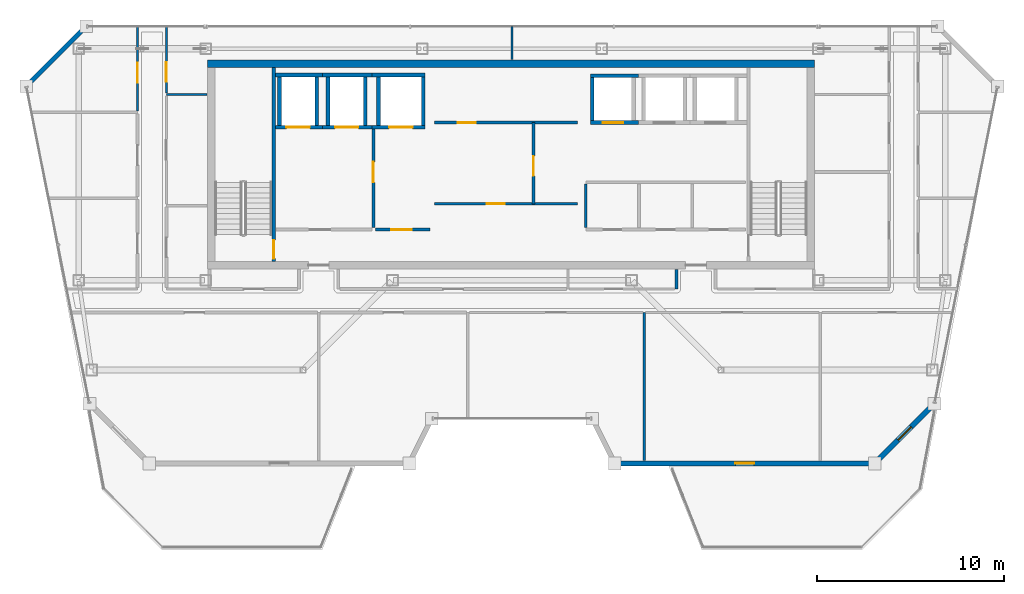
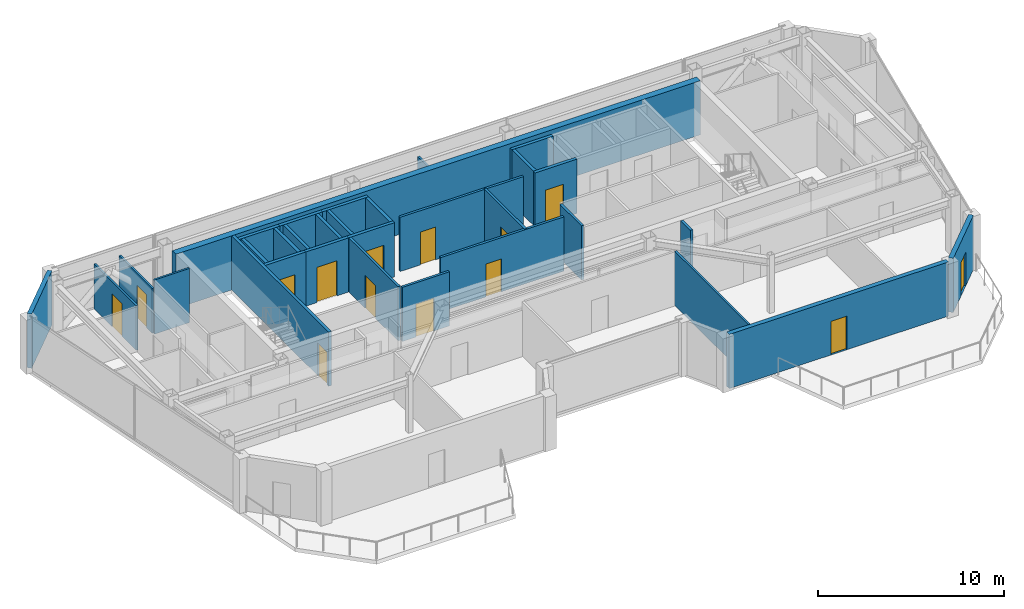
# One storey, part 15 of 20: 32 walls, 14 doors, 14 openings.
"""IFC4 building model written with IfcOpenShell, lengths in metres."""

from ifc_helpers import new_model, si_unit, direction, frame, frame_2d, origin, place, context, subcontext, project, spatial, rectangle, extrude, material, layer, layer_set, type_object, element, fill, save


model = new_model("IFC4")

# Units and contexts
model_context = context("Model", 3, precision=1e-05, world=origin(), true_north=direction((0.0, 1.0)))
body_context = subcontext(model_context, "Body", "Model", "MODEL_VIEW")
ifc_project = project(units=[si_unit("LENGTHUNIT", "METRE"), si_unit("AREAUNIT", "SQUARE_METRE"), si_unit("VOLUMEUNIT", "CUBIC_METRE"), si_unit("PLANEANGLEUNIT", "RADIAN"), si_unit("MASSUNIT", "GRAM", prefix="KILO")], contexts=[model_context])

# Site, building, storey
site_placement = place(None, origin())
site = spatial("IfcSite", under=ifc_project, at=site_placement, CompositionType="ELEMENT")
building_placement = place(site_placement, origin())
building = spatial("IfcBuilding", under=site, at=building_placement, Name="Saevonmaru Cultural Tower", CompositionType="ELEMENT")
storey_placement = place(building_placement, frame((0.0, 0.0, 295.199951171875)))
storey = spatial("IfcBuildingStorey", under=building, at=storey_placement, Name="L70", CompositionType="ELEMENT", Elevation=295.199951171875)

# Wall
ifc_material_1 = material(Name="Concrete C50/60", Category="concrete")
ifc_layer_1 = layer(ifc_material_1, 0.39990234375, Name="Concrete C50/60")
ifc_layer_set_1 = layer_set([ifc_layer_1], Name="Concrete C50/60")
wall_type_1 = type_object("IfcWallType", Name="WL-CORE-400", PredefinedType="SHEAR", material=ifc_layer_set_1)
wall_1_placement = place(storey_placement, frame((13.699951171875, 54.0, 0.0), z_axis=(0.0, 0.0, 1.0), x_axis=(1.0, 0.0, 0.0)))
element("IfcWall", 1, at=wall_1_placement, inside=storey, type_object=wall_type_1, Name="L70 Tower RC core shear wall N", PredefinedType="SHEAR", context=body_context, shape_type="SweptSolid", body=[
    extrude(rectangle(XDim=32.5, YDim=0.39990234375, at=frame_2d((16.25, 0.0))), origin(), (0.0, 0.0, 1.0), 3.550048828125),
])

# Wall, opening, door
ifc_material_2 = material(Name="Gypsum Fireboard Partition", Category="gypsum")
ifc_layer_2 = layer(ifc_material_2, 0.14990234375, Name="Gypsum Fireboard Partition")
ifc_layer_set_2 = layer_set([ifc_layer_2], Name="Gypsum Fireboard Partition")
wall_type_2 = type_object("IfcWallType", Name="WL-CORE-PART-150", PredefinedType="PARTITIONING", material=ifc_layer_set_2)
wall_2_placement = place(storey_placement, frame((22.580078125, 50.550048828125, 0.0), z_axis=(0.0, 0.0, 1.0), x_axis=(0.0, -1.0, 0.0)))
wall_2 = element("IfcWall", 2, at=wall_2_placement, inside=storey, type_object=wall_type_2, Name="L70 Firefighting Lift Lobby East Wall", PredefinedType="PARTITIONING", context=body_context, shape_type="SweptSolid", body=[
    extrude(rectangle(XDim=5.330078125, YDim=0.14990234375, at=frame_2d((2.6650390625, 0.0))), origin(), (0.0, 0.0, 1.0), 3.550048828125),
])
opening_1_placement = place(wall_2_placement, frame((1.800048828125, 0.0, 0.0)))
opening_1 = element("IfcOpeningElement", 3, at=opening_1_placement, cuts=wall_2, Name="Opening FD-2", PredefinedType="OPENING", context=body_context, shape_type="SweptSolid", body=[
    extrude(rectangle(XDim=1.10009765625, YDim=2.14990234375, at=frame_2d((0.550048828125, 1.074951171875))), frame((0.0, 0.0849609375, 0.0), z_axis=(0.0, -1.0, 0.0), x_axis=(1.0, 0.0, 0.0)), (0.0, 0.0, 1.0), 0.169921875),
])
ifc_material_3 = material(Name="Satin Bronze Anodised Aluminium", Category="aluminium")
door_type_1 = type_object("IfcDoorType", Name="DR-FD60-1100", OperationType="SINGLE_SWING_LEFT", PredefinedType="DOOR", material=ifc_material_3)
door_1_placement = place(opening_1_placement, origin())
door_1 = element("IfcDoor", 4, at=door_1_placement, inside=storey, type_object=door_type_1, Name="L70 Firefighting Lift Lobby East Door", OperationType="SINGLE_SWING_LEFT", OverallHeight=2.14990234375, OverallWidth=1.10009765625, PredefinedType="DOOR", context=body_context, shape_type="SweptSolid", body=[
    extrude(rectangle(XDim=1.10009765625, YDim=2.14990234375, at=frame_2d((0.550048828125, 1.074951171875))), frame((0.0, 0.02490234375, 0.0), z_axis=(0.0, -1.0, 0.0), x_axis=(1.0, 0.0, 0.0)), (0.0, 0.0, 1.0), 0.050048828125),
])
fill(opening_1, door_1)

wall_3_placement = place(storey_placement, frame((22.679931640625, 45.1201171875, 0.0), z_axis=(0.0, 0.0, 1.0), x_axis=(1.0, 0.0, 0.0)))
wall_3 = element("IfcWall", 5, at=wall_3_placement, inside=storey, type_object=wall_type_2, Name="L70 Service Lift Vestibule Wall", PredefinedType="PARTITIONING", context=body_context, shape_type="SweptSolid", body=[
    extrude(rectangle(XDim=2.920166015625, YDim=0.14990234375, at=frame_2d((1.4599609375, 0.0))), origin(), (0.0, 0.0, 1.0), 3.550048828125),
])
opening_2_placement = place(wall_3_placement, frame((0.85009765625, 0.0, 0.0)))
opening_2 = element("IfcOpeningElement", 6, at=opening_2_placement, cuts=wall_3, Name="Opening FD-2", PredefinedType="OPENING", context=body_context, shape_type="SweptSolid", body=[
    extrude(rectangle(XDim=1.10009765625, YDim=2.14990234375, at=frame_2d((0.550048828125, 1.074951171875))), frame((0.0, 0.0849609375, 0.0), z_axis=(0.0, -1.0, 0.0), x_axis=(1.0, 0.0, 0.0)), (0.0, 0.0, 1.0), 0.169921875),
])
door_2_placement = place(opening_2_placement, origin())
door_2 = element("IfcDoor", 7, at=door_2_placement, inside=storey, type_object=door_type_1, Name="L70 Service Lift Vestibule Door", OperationType="SINGLE_SWING_LEFT", OverallHeight=2.14990234375, OverallWidth=1.10009765625, PredefinedType="DOOR", context=body_context, shape_type="SweptSolid", body=[
    extrude(rectangle(XDim=1.10009765625, YDim=2.14990234375, at=frame_2d((0.550048828125, 1.074951171875))), frame((0.0, 0.02490234375, 0.0), z_axis=(0.0, -1.0, 0.0), x_axis=(1.0, 0.0, 0.0)), (0.0, 0.0, 1.0), 0.050048828125),
])
fill(opening_2, door_2)

wall_4_placement = place(storey_placement, frame((31.14990234375, 46.5, 0.0), z_axis=(0.0, 0.0, 1.0), x_axis=(0.0, 1.0, 0.0)))
wall_4 = element("IfcWall", 8, at=wall_4_placement, inside=storey, type_object=wall_type_2, Name="L70 Lift Zone Baffle 1", PredefinedType="PARTITIONING", context=body_context, shape_type="SweptSolid", body=[
    extrude(rectangle(XDim=4.35009765625, YDim=0.14990234375, at=frame_2d((2.175048828125, 0.0))), origin(), (0.0, 0.0, 1.0), 3.550048828125),
])
opening_3_placement = place(wall_4_placement, frame((1.5, 0.0, 0.0)))
opening_3 = element("IfcOpeningElement", 9, at=opening_3_placement, cuts=wall_4, Name="Opening ID-1", PredefinedType="OPENING", context=body_context, shape_type="SweptSolid", body=[
    extrude(rectangle(XDim=1.050048828125, YDim=2.14990234375, at=frame_2d((0.52490234375, 1.074951171875))), frame((0.0, 0.0849609375, 0.0), z_axis=(0.0, -1.0, 0.0), x_axis=(1.0, 0.0, 0.0)), (0.0, 0.0, 1.0), 0.169921875),
])
door_type_2 = type_object("IfcDoorType", Name="DR-INT-1050", OperationType="SINGLE_SWING_LEFT", PredefinedType="DOOR", material=ifc_material_3)
door_3_placement = place(opening_3_placement, origin())
door_3 = element("IfcDoor", 10, at=door_3_placement, inside=storey, type_object=door_type_2, Name="L70 West-Mid Lobby Portal", OperationType="SINGLE_SWING_LEFT", OverallHeight=2.14990234375, OverallWidth=1.050048828125, PredefinedType="DOOR", context=body_context, shape_type="SweptSolid", body=[
    extrude(rectangle(XDim=1.050048828125, YDim=2.14990234375, at=frame_2d((0.52490234375, 1.074951171875))), frame((0.0, 0.02490234375, 0.0), z_axis=(0.0, -1.0, 0.0), x_axis=(1.0, 0.0, 0.0)), (0.0, 0.0, 1.0), 0.050048828125),
])
fill(opening_3, door_3)

# Wall
wall_5_placement = place(storey_placement, frame((33.949951171875, 45.219970703125, 0.0), z_axis=(0.0, 0.0, 1.0), x_axis=(0.0, 1.0, 0.0)))
element("IfcWall", 11, at=wall_5_placement, inside=storey, type_object=wall_type_2, Name="L70 Core Utility West Wall", PredefinedType="PARTITIONING", context=body_context, shape_type="SweptSolid", body=[
    extrude(rectangle(XDim=2.330078125, YDim=0.14990234375, at=frame_2d((1.1650390625, 0.0))), origin(), (0.0, 0.0, 1.0), 3.550048828125),
])

# Wall, opening, door
wall_6_placement = place(storey_placement, frame((25.85009765625, 50.85009765625, 0.0), z_axis=(0.0, 0.0, 1.0), x_axis=(1.0, 0.0, 0.0)))
wall_6 = element("IfcWall", 12, at=wall_6_placement, inside=storey, type_object=wall_type_2, Name="L70 Reclaimed Core Room South Wall", PredefinedType="PARTITIONING", context=body_context, shape_type="SweptSolid", body=[
    extrude(rectangle(XDim=7.64990234375, YDim=0.14990234375, at=frame_2d((3.824951171875, 0.0))), origin(), (0.0, 0.0, 1.0), 3.550048828125),
])
opening_4_placement = place(wall_6_placement, frame((1.25, 0.0, 0.0)))
opening_4 = element("IfcOpeningElement", 13, at=opening_4_placement, cuts=wall_6, Name="Opening FD-4", PredefinedType="OPENING", context=body_context, shape_type="SweptSolid", body=[
    extrude(rectangle(XDim=0.949951171875, YDim=2.14990234375, at=frame_2d((0.47509765625, 1.074951171875))), frame((0.0, 0.0849609375, 0.0), z_axis=(0.0, -1.0, 0.0), x_axis=(1.0, 0.0, 0.0)), (0.0, 0.0, 1.0), 0.169921875),
])
door_type_3 = type_object("IfcDoorType", Name="DR-FD60-950", OperationType="SINGLE_SWING_LEFT", PredefinedType="DOOR", material=ifc_material_3)
door_4_placement = place(opening_4_placement, origin())
door_4 = element("IfcDoor", 14, at=door_4_placement, inside=storey, type_object=door_type_3, Name="L70 Reclaimed Archive Vault Door", OperationType="SINGLE_SWING_LEFT", OverallHeight=2.14990234375, OverallWidth=0.949951171875, PredefinedType="DOOR", context=body_context, shape_type="SweptSolid", body=[
    extrude(rectangle(XDim=0.949951171875, YDim=2.14990234375, at=frame_2d((0.47509765625, 1.074951171875))), frame((0.0, 0.02490234375, 0.0), z_axis=(0.0, -1.0, 0.0), x_axis=(1.0, 0.0, 0.0)), (0.0, 0.0, 1.0), 0.050048828125),
])
fill(opening_4, door_4)

wall_7_placement = place(storey_placement, frame((25.85009765625, 46.5, 0.0), z_axis=(0.0, 0.0, 1.0), x_axis=(1.0, 0.0, 0.0)))
wall_7 = element("IfcWall", 15, at=wall_7_placement, inside=storey, type_object=wall_type_2, Name="L70 Reclaimed Mid-Shaft Wall", PredefinedType="PARTITIONING", context=body_context, shape_type="SweptSolid", body=[
    extrude(rectangle(XDim=7.64990234375, YDim=0.14990234375, at=frame_2d((3.824951171875, 0.0))), origin(), (0.0, 0.0, 1.0), 3.550048828125),
])
opening_5_placement = place(wall_7_placement, frame((2.800048828125, 0.0, 0.0)))
opening_5 = element("IfcOpeningElement", 16, at=opening_5_placement, cuts=wall_7, Name="Opening FD-4", PredefinedType="OPENING", context=body_context, shape_type="SweptSolid", body=[
    extrude(rectangle(XDim=0.949951171875, YDim=2.14990234375, at=frame_2d((0.47509765625, 1.074951171875))), frame((0.0, 0.0849609375, 0.0), z_axis=(0.0, -1.0, 0.0), x_axis=(1.0, 0.0, 0.0)), (0.0, 0.0, 1.0), 0.169921875),
])
door_5_placement = place(opening_5_placement, origin())
door_5 = element("IfcDoor", 17, at=door_5_placement, inside=storey, type_object=door_type_3, Name="L70 Reclaimed Manuscript Storage Door", OperationType="SINGLE_SWING_LEFT", OverallHeight=2.14990234375, OverallWidth=0.949951171875, PredefinedType="DOOR", context=body_context, shape_type="SweptSolid", body=[
    extrude(rectangle(XDim=0.949951171875, YDim=2.14990234375, at=frame_2d((0.47509765625, 1.074951171875))), frame((0.0, 0.02490234375, 0.0), z_axis=(0.0, -1.0, 0.0), x_axis=(1.0, 0.0, 0.0)), (0.0, 0.0, 1.0), 0.050048828125),
])
fill(opening_5, door_5)

# Wall
ifc_material_4 = material(Name="Granite-Clad Precast Concrete C40/50", Category="masonry")
ifc_layer_3 = layer(ifc_material_4, 0.260009765625, Name="Granite-Clad Precast Concrete C40/50")
ifc_layer_set_3 = layer_set([ifc_layer_3], Name="Granite-Clad Precast Concrete C40/50")
wall_type_3 = type_object("IfcWallType", Name="WL-EXT-SPANDREL-260", PredefinedType="STANDARD", material=ifc_layer_set_3)
wall_8_placement = place(storey_placement, frame((7.0869140625, 55.886962890625, 0.0), z_axis=(0.0, 0.0, 1.0), x_axis=(-0.707106781187, -0.707106781187, 0.0)))
element("IfcWall", 18, at=wall_8_placement, inside=storey, type_object=wall_type_3, Name="L70 Chamfer Corner Spandrel Wall E11", PredefinedType="STANDARD", context=body_context, shape_type="SweptSolid", body=[
    extrude(rectangle(XDim=4.205810546875, YDim=0.260009765625, at=frame_2d((2.10302734375, 0.0))), origin(), (0.0, 0.0, 1.0), 3.550048828125),
])

# Wall, opening, door
ifc_layer_4 = layer(ifc_material_4, 0.280029296875, Name="Granite-Clad Precast Concrete C40/50")
ifc_layer_set_4 = layer_set([ifc_layer_4], Name="Granite-Clad Precast Concrete C40/50")
wall_type_4 = type_object("IfcWallType", Name="WL-EXT-SPANDREL-280", PredefinedType="STANDARD", material=ifc_layer_set_4)
wall_9_placement = place(storey_placement, frame((35.659912109375, 32.60009765625, 0.0), z_axis=(0.0, 0.0, 1.0), x_axis=(1.0, 0.0, 0.0)))
wall_9 = element("IfcWall", 19, at=wall_9_placement, inside=storey, type_object=wall_type_4, Name="L70 Setback Terrace Portal Wall E6", PredefinedType="STANDARD", context=body_context, shape_type="SweptSolid", body=[
    extrude(rectangle(XDim=13.60009765625, YDim=0.280029296875, at=frame_2d((6.800048828125, 0.0))), origin(), (0.0, 0.0, 1.0), 3.550048828125),
])
opening_6_placement = place(wall_9_placement, frame((6.300048828125, 0.0, 0.0)))
opening_6 = element("IfcOpeningElement", 20, at=opening_6_placement, cuts=wall_9, Name="Opening TD-2", PredefinedType="OPENING", context=body_context, shape_type="SweptSolid", body=[
    extrude(rectangle(XDim=1.0, YDim=2.199951171875, at=frame_2d((0.5, 1.10009765625))), frame((0.0, 0.14990234375, 0.0), z_axis=(0.0, -1.0, 0.0), x_axis=(1.0, 0.0, 0.0)), (0.0, 0.0, 1.0), 0.300048828125),
])
door_type_4 = type_object("IfcDoorType", Name="DR-TERR-1000", OperationType="SINGLE_SWING_RIGHT", PredefinedType="DOOR", material=ifc_material_3)
door_6_placement = place(opening_6_placement, origin())
door_6 = element("IfcDoor", 21, at=door_6_placement, inside=storey, type_object=door_type_4, Name="L70 Sawtooth Roof Terrace Door E6", OperationType="SINGLE_SWING_RIGHT", OverallHeight=2.199951171875, OverallWidth=1.0, PredefinedType="DOOR", context=body_context, shape_type="SweptSolid", body=[
    extrude(rectangle(XDim=1.0, YDim=2.199951171875, at=frame_2d((0.5, 1.10009765625))), frame((0.0, 0.02490234375, 0.0), z_axis=(0.0, -1.0, 0.0), x_axis=(1.0, 0.0, 0.0)), (0.0, 0.0, 1.0), 0.050048828125),
])
fill(opening_6, door_6)

wall_10_placement = place(storey_placement, frame((49.533203125, 32.713134765625, 0.0), z_axis=(0.0, 0.0, 1.0), x_axis=(0.70707775441, 0.707135806771, 0.0)))
wall_10 = element("IfcWall", 22, at=wall_10_placement, inside=storey, type_object=wall_type_4, Name="L70 Setback Terrace Portal Wall E7", PredefinedType="STANDARD", context=body_context, shape_type="SweptSolid", body=[
    extrude(rectangle(XDim=4.20556640625, YDim=0.280029296875, at=frame_2d((2.102783203125, 0.0))), origin(), (0.0, 0.0, 1.0), 3.550048828125),
])
opening_7_placement = place(wall_10_placement, frame((1.60302734375, 0.0, 0.0)))
opening_7 = element("IfcOpeningElement", 23, at=opening_7_placement, cuts=wall_10, Name="Opening TD-2", PredefinedType="OPENING", context=body_context, shape_type="SweptSolid", body=[
    extrude(rectangle(XDim=1.0, YDim=2.199951171875, at=frame_2d((0.5, 1.10009765625))), frame((0.0, 0.14990234375, 0.0), z_axis=(0.0, -1.0, 0.0), x_axis=(1.0, 0.0, 0.0)), (0.0, 0.0, 1.0), 0.300048828125),
])
door_7_placement = place(opening_7_placement, origin())
door_7 = element("IfcDoor", 24, at=door_7_placement, inside=storey, type_object=door_type_4, Name="L70 Sawtooth Roof Terrace Door E7", OperationType="SINGLE_SWING_LEFT", OverallHeight=2.199951171875, OverallWidth=1.0, PredefinedType="DOOR", context=body_context, shape_type="SweptSolid", body=[
    extrude(rectangle(XDim=1.0, YDim=2.199951171875, at=frame_2d((0.5, 1.10009765625))), frame((0.0, 0.02490234375, 0.0), z_axis=(0.0, -1.0, 0.0), x_axis=(1.0, 0.0, 0.0)), (0.0, 0.0, 1.0), 0.050048828125),
])
fill(opening_7, door_7)

# Walls
ifc_layer_5 = layer(ifc_material_2, 0.14990234375, Name="Gypsum Fireboard Partition")
ifc_layer_set_5 = layer_set([ifc_layer_5], Name="Gypsum Fireboard Partition")
wall_type_5 = type_object("IfcWallType", Name="WL-PART-FIRE-150", PredefinedType="PARTITIONING", material=ifc_layer_set_5)
wall_11_placement = place(storey_placement, frame((38.800048828125, 41.93994140625, 0.0), z_axis=(0.0, 0.0, 1.0), x_axis=(0.0, 1.0, 0.0)))
element("IfcWall", 25, at=wall_11_placement, inside=storey, type_object=wall_type_5, Name="L70 Core Portal Side Wall E1", PredefinedType="PARTITIONING", context=body_context, shape_type="SweptSolid", body=[
    extrude(rectangle(XDim=1.0400390625, YDim=0.14990234375, at=frame_2d((0.52001953125, 0.0))), origin(), (0.0, 0.0, 1.0), 3.550048828125),
])
ifc_layer_6 = layer(ifc_material_2, 0.1201171875, Name="Gypsum Fireboard Partition")
ifc_layer_set_6 = layer_set([ifc_layer_6], Name="Gypsum Fireboard Partition")
wall_type_6 = type_object("IfcWallType", Name="WL-PART-GYP-120", PredefinedType="PARTITIONING", material=ifc_layer_set_6)
wall_12_placement = place(storey_placement, frame((11.5, 52.35009765625, 0.0), z_axis=(0.0, 0.0, 1.0), x_axis=(1.0, 0.0, 0.0)))
element("IfcWall", 26, at=wall_12_placement, inside=storey, type_object=wall_type_6, Name="L70 North-West Panorama South Wall", PredefinedType="PARTITIONING", context=body_context, shape_type="SweptSolid", body=[
    extrude(rectangle(XDim=2.179931640625, YDim=0.1201171875, at=frame_2d((1.08984375, 0.0))), origin(), (0.0, 0.0, 1.0), 3.550048828125),
])
wall_13_placement = place(storey_placement, frame((30.0, 54.219970703125, 0.0), z_axis=(0.0, 0.0, 1.0), x_axis=(0.0, 1.0, 0.0)))
element("IfcWall", 27, at=wall_13_placement, inside=storey, type_object=wall_type_6, Name="L70 North Panorama Center Split", PredefinedType="PARTITIONING", context=body_context, shape_type="SweptSolid", body=[
    extrude(rectangle(XDim=1.775146484375, YDim=0.1201171875, at=frame_2d((0.8876953125, 0.0))), origin(), (0.0, 0.0, 1.0), 2.93505859375),
])

# Wall, opening, door
wall_14_placement = place(storey_placement, frame((11.5, 52.429931640625, 0.0), z_axis=(0.0, 0.0, 1.0), x_axis=(0.0, 1.0, 0.0)))
wall_14 = element("IfcWall", 28, at=wall_14_placement, inside=storey, type_object=wall_type_6, Name="L70 Rare Manuscript Reading Room Corridor Wall", PredefinedType="PARTITIONING", context=body_context, shape_type="SweptSolid", body=[
    extrude(rectangle(XDim=3.565185546875, YDim=0.1201171875, at=frame_2d((1.78271484375, 0.0))), origin(), (0.0, 0.0, 1.0), 2.93505859375),
])
opening_8_placement = place(wall_14_placement, frame((0.596923828125, 0.0, 0.0)))
opening_8 = element("IfcOpeningElement", 29, at=opening_8_placement, cuts=wall_14, Name="Opening ID-1", PredefinedType="OPENING", context=body_context, shape_type="SweptSolid", body=[
    extrude(rectangle(XDim=1.050048828125, YDim=2.14990234375, at=frame_2d((0.52490234375, 1.074951171875))), frame((0.0, 0.070068359375, 0.0), z_axis=(0.0, -1.0, 0.0), x_axis=(1.0, 0.0, 0.0)), (0.0, 0.0, 1.0), 0.14013671875),
])
door_8_placement = place(opening_8_placement, origin())
door_8 = element("IfcDoor", 30, at=door_8_placement, inside=storey, type_object=door_type_2, Name="L70 Rare Manuscript Reading Room Door", OperationType="SINGLE_SWING_LEFT", OverallHeight=2.14990234375, OverallWidth=1.050048828125, PredefinedType="DOOR", context=body_context, shape_type="SweptSolid", body=[
    extrude(rectangle(XDim=1.050048828125, YDim=2.14990234375, at=frame_2d((0.52490234375, 1.074951171875))), frame((0.0, 0.02490234375, 0.0), z_axis=(0.0, -1.0, 0.0), x_axis=(1.0, 0.0, 0.0)), (0.0, 0.0, 1.0), 0.050048828125),
])
fill(opening_8, door_8)

wall_15_placement = place(storey_placement, frame((9.949951171875, 51.47998046875, 0.0), z_axis=(0.0, 0.0, 1.0), x_axis=(0.0, 1.0, 0.0)))
wall_15 = element("IfcWall", 31, at=wall_15_placement, inside=storey, type_object=wall_type_6, Name="L70 Rare Manuscript Reading Room Corridor Wall", PredefinedType="PARTITIONING", context=body_context, shape_type="SweptSolid", body=[
    extrude(rectangle(XDim=4.51513671875, YDim=0.1201171875, at=frame_2d((2.257568359375, 0.0))), origin(), (0.0, 0.0, 1.0), 2.93505859375),
])
opening_9_placement = place(wall_15_placement, frame((1.512939453125, 0.0, 0.0)))
opening_9 = element("IfcOpeningElement", 32, at=opening_9_placement, cuts=wall_15, Name="Opening ID-1", PredefinedType="OPENING", context=body_context, shape_type="SweptSolid", body=[
    extrude(rectangle(XDim=1.050048828125, YDim=2.14990234375, at=frame_2d((0.52490234375, 1.074951171875))), frame((0.0, 0.070068359375, 0.0), z_axis=(0.0, -1.0, 0.0), x_axis=(1.0, 0.0, 0.0)), (0.0, 0.0, 1.0), 0.14013671875),
])
door_9_placement = place(opening_9_placement, origin())
door_9 = element("IfcDoor", 33, at=door_9_placement, inside=storey, type_object=door_type_2, Name="L70 Rare Manuscript Reading Room Door", OperationType="SINGLE_SWING_RIGHT", OverallHeight=2.14990234375, OverallWidth=1.050048828125, PredefinedType="DOOR", context=body_context, shape_type="SweptSolid", body=[
    extrude(rectangle(XDim=1.050048828125, YDim=2.14990234375, at=frame_2d((0.52490234375, 1.074951171875))), frame((0.0, 0.02490234375, 0.0), z_axis=(0.0, -1.0, 0.0), x_axis=(1.0, 0.0, 0.0)), (0.0, 0.0, 1.0), 0.050048828125),
])
fill(opening_9, door_9)

# Wall
wall_16_placement = place(storey_placement, frame((37.080078125, 32.760009765625, 0.0), z_axis=(0.0, 0.0, 1.0), x_axis=(0.0, 1.0, 0.0)))
element("IfcWall", 34, at=wall_16_placement, inside=storey, type_object=wall_type_6, Name="L70 Observatory Bay Divider 3", PredefinedType="PARTITIONING", context=body_context, shape_type="SweptSolid", body=[
    extrude(rectangle(XDim=7.919921875, YDim=0.1201171875, at=frame_2d((3.9599609375, 0.0))), origin(), (0.0, 0.0, 1.0), 3.550048828125),
])

# Wall, opening, door
ifc_material_5 = material(Name="Concrete C40/50", Category="concrete")
ifc_layer_7 = layer(ifc_material_5, 0.199951171875, Name="Concrete C40/50")
ifc_layer_set_7 = layer_set([ifc_layer_7], Name="Concrete C40/50")
wall_type_7 = type_object("IfcWallType", Name="WL-SHAFT-200", PredefinedType="SHEAR", material=ifc_layer_set_7)
wall_17_placement = place(storey_placement, frame((17.330078125, 50.60009765625, 0.0), z_axis=(0.0, 0.0, 1.0), x_axis=(1.0, 0.0, 0.0)))
wall_17 = element("IfcWall", 35, at=wall_17_placement, inside=storey, type_object=wall_type_7, Name="L70 Lift FFL-1 Hoistway Wall S", PredefinedType="SHEAR", context=body_context, shape_type="SweptSolid", body=[
    extrude(rectangle(XDim=2.52001953125, YDim=0.199951171875, at=frame_2d((1.260009765625, 0.0))), origin(), (0.0, 0.0, 1.0), 3.550048828125),
])
opening_10_placement = place(wall_17_placement, frame((0.594970703125, 0.0, 0.0)))
opening_10 = element("IfcOpeningElement", 36, at=opening_10_placement, cuts=wall_17, Name="Opening LD-2", PredefinedType="OPENING", context=body_context, shape_type="SweptSolid", body=[
    extrude(rectangle(XDim=1.25, YDim=2.300048828125, at=frame_2d((0.625, 1.14990234375))), frame((0.0, 0.10986328125, 0.0), z_axis=(0.0, -1.0, 0.0), x_axis=(1.0, 0.0, 0.0)), (0.0, 0.0, 1.0), 0.219970703125),
])
ifc_material_6 = material(Name="Stainless Steel 316", Category="steel")
door_type_5 = type_object("IfcDoorType", Name="DR-LIFT-1250", OperationType="SLIDING_TO_LEFT", PredefinedType="DOOR", material=ifc_material_6)
door_10_placement = place(opening_10_placement, origin())
door_10 = element("IfcDoor", 37, at=door_10_placement, inside=storey, type_object=door_type_5, Name="L70 Lift FFL-1 Sliding Landing Door", OperationType="SLIDING_TO_LEFT", OverallHeight=2.300048828125, OverallWidth=1.25, PredefinedType="DOOR", context=body_context, shape_type="SweptSolid", body=[
    extrude(rectangle(XDim=1.25, YDim=2.300048828125, at=frame_2d((0.625, 1.14990234375))), frame((0.0, 0.02490234375, 0.0), z_axis=(0.0, -1.0, 0.0), x_axis=(1.0, 0.0, 0.0)), (0.0, 0.0, 1.0), 0.050048828125),
])
fill(opening_10, door_10)

# Walls
wall_18_placement = place(storey_placement, frame((17.330078125, 53.39990234375, 0.0), z_axis=(0.0, 0.0, 1.0), x_axis=(1.0, 0.0, 0.0)))
element("IfcWall", 38, at=wall_18_placement, inside=storey, type_object=wall_type_7, Name="L70 Lift FFL-1 Hoistway Wall N", PredefinedType="SHEAR", context=body_context, shape_type="SweptSolid", body=[
    extrude(rectangle(XDim=2.52001953125, YDim=0.199951171875, at=frame_2d((1.260009765625, 0.0))), origin(), (0.0, 0.0, 1.0), 3.550048828125),
])
for number, where, z_axis, x_axis, name in (
    (39, (17.550048828125, 50.699951171875, 0.0), (0.0, 0.0, 1.0), (0.0, 1.0, 0.0), "L70 Lift FFL-1 Hoistway Wall W"),
    (40, (19.550048828125, 50.699951171875, 0.0), (0.0, 0.0, 1.0), (0.0, 1.0, 0.0), "L70 Lift FFL-1 Hoistway Wall E"),
):
    element("IfcWall", number, at=place(storey_placement, frame(where, z_axis=z_axis, x_axis=x_axis)), inside=storey, type_object=wall_type_7, Name=name, PredefinedType="SHEAR", context=body_context, shape_type="SweptSolid", body=[
        extrude(rectangle(XDim=2.60009765625, YDim=0.199951171875, at=frame_2d((1.300048828125, 0.0))), origin(), (0.0, 0.0, 1.0), 3.550048828125),
    ])

# Wall, opening, door
wall_19_placement = place(storey_placement, frame((19.85009765625, 50.60009765625, 0.0), z_axis=(0.0, 0.0, 1.0), x_axis=(1.0, 0.0, 0.0)))
wall_19 = element("IfcWall", 41, at=wall_19_placement, inside=storey, type_object=wall_type_7, Name="L70 Lift FFL-2 Hoistway Wall S", PredefinedType="SHEAR", context=body_context, shape_type="SweptSolid", body=[
    extrude(rectangle(XDim=2.64990234375, YDim=0.199951171875, at=frame_2d((1.324951171875, 0.0))), origin(), (0.0, 0.0, 1.0), 3.550048828125),
])
opening_11_placement = place(wall_19_placement, frame((0.675048828125, 0.0, 0.0)))
opening_11 = element("IfcOpeningElement", 42, at=opening_11_placement, cuts=wall_19, Name="Opening LD-2", PredefinedType="OPENING", context=body_context, shape_type="SweptSolid", body=[
    extrude(rectangle(XDim=1.25, YDim=2.300048828125, at=frame_2d((0.625, 1.14990234375))), frame((0.0, 0.10986328125, 0.0), z_axis=(0.0, -1.0, 0.0), x_axis=(1.0, 0.0, 0.0)), (0.0, 0.0, 1.0), 0.219970703125),
])
door_11_placement = place(opening_11_placement, origin())
door_11 = element("IfcDoor", 43, at=door_11_placement, inside=storey, type_object=door_type_5, Name="L70 Lift FFL-2 Sliding Landing Door", OperationType="SLIDING_TO_LEFT", OverallHeight=2.300048828125, OverallWidth=1.25, PredefinedType="DOOR", context=body_context, shape_type="SweptSolid", body=[
    extrude(rectangle(XDim=1.25, YDim=2.300048828125, at=frame_2d((0.625, 1.14990234375))), frame((0.0, 0.02490234375, 0.0), z_axis=(0.0, -1.0, 0.0), x_axis=(1.0, 0.0, 0.0)), (0.0, 0.0, 1.0), 0.050048828125),
])
fill(opening_11, door_11)

# Walls
wall_20_placement = place(storey_placement, frame((19.85009765625, 53.39990234375, 0.0), z_axis=(0.0, 0.0, 1.0), x_axis=(1.0, 0.0, 0.0)))
element("IfcWall", 44, at=wall_20_placement, inside=storey, type_object=wall_type_7, Name="L70 Lift FFL-2 Hoistway Wall N", PredefinedType="SHEAR", context=body_context, shape_type="SweptSolid", body=[
    extrude(rectangle(XDim=2.64990234375, YDim=0.199951171875, at=frame_2d((1.324951171875, 0.0))), origin(), (0.0, 0.0, 1.0), 3.550048828125),
])
for number, where, z_axis, x_axis, name in (
    (45, (20.14990234375, 50.699951171875, 0.0), (0.0, 0.0, 1.0), (0.0, 1.0, 0.0), "L70 Lift FFL-2 Hoistway Wall W"),
    (46, (22.14990234375, 50.699951171875, 0.0), (0.0, 0.0, 1.0), (0.0, 1.0, 0.0), "L70 Lift FFL-2 Hoistway Wall E"),
):
    element("IfcWall", number, at=place(storey_placement, frame(where, z_axis=z_axis, x_axis=x_axis)), inside=storey, type_object=wall_type_7, Name=name, PredefinedType="SHEAR", context=body_context, shape_type="SweptSolid", body=[
        extrude(rectangle(XDim=2.60009765625, YDim=0.199951171875, at=frame_2d((1.300048828125, 0.0))), origin(), (0.0, 0.0, 1.0), 3.550048828125),
    ])

# Wall, opening, door
wall_21_placement = place(storey_placement, frame((22.5, 50.60009765625, 0.0), z_axis=(0.0, 0.0, 1.0), x_axis=(1.0, 0.0, 0.0)))
wall_21 = element("IfcWall", 47, at=wall_21_placement, inside=storey, type_object=wall_type_7, Name="L70 Lift GL-1 Hoistway Wall S", PredefinedType="SHEAR", context=body_context, shape_type="SweptSolid", body=[
    extrude(rectangle(XDim=2.85009765625, YDim=0.199951171875, at=frame_2d((1.425048828125, 0.0))), origin(), (0.0, 0.0, 1.0), 3.550048828125),
])
opening_12_placement = place(wall_21_placement, frame((0.925048828125, 0.0, 0.0)))
opening_12 = element("IfcOpeningElement", 48, at=opening_12_placement, cuts=wall_21, Name="Opening LD-2", PredefinedType="OPENING", context=body_context, shape_type="SweptSolid", body=[
    extrude(rectangle(XDim=1.25, YDim=2.300048828125, at=frame_2d((0.625, 1.14990234375))), frame((0.0, 0.10986328125, 0.0), z_axis=(0.0, -1.0, 0.0), x_axis=(1.0, 0.0, 0.0)), (0.0, 0.0, 1.0), 0.219970703125),
])
door_12_placement = place(opening_12_placement, origin())
door_12 = element("IfcDoor", 49, at=door_12_placement, inside=storey, type_object=door_type_5, Name="L70 Lift GL-1 Sliding Landing Door", OperationType="SLIDING_TO_LEFT", OverallHeight=2.300048828125, OverallWidth=1.25, PredefinedType="DOOR", context=body_context, shape_type="SweptSolid", body=[
    extrude(rectangle(XDim=1.25, YDim=2.300048828125, at=frame_2d((0.625, 1.14990234375))), frame((0.0, 0.02490234375, 0.0), z_axis=(0.0, -1.0, 0.0), x_axis=(1.0, 0.0, 0.0)), (0.0, 0.0, 1.0), 0.050048828125),
])
fill(opening_12, door_12)

# Walls
wall_22_placement = place(storey_placement, frame((22.5, 53.39990234375, 0.0), z_axis=(0.0, 0.0, 1.0), x_axis=(1.0, 0.0, 0.0)))
element("IfcWall", 50, at=wall_22_placement, inside=storey, type_object=wall_type_7, Name="L70 Lift GL-1 Hoistway Wall N", PredefinedType="SHEAR", context=body_context, shape_type="SweptSolid", body=[
    extrude(rectangle(XDim=2.85009765625, YDim=0.199951171875, at=frame_2d((1.425048828125, 0.0))), origin(), (0.0, 0.0, 1.0), 3.550048828125),
])
for number, where, z_axis, x_axis, name in (
    (51, (22.85009765625, 50.699951171875, 0.0), (0.0, 0.0, 1.0), (0.0, 1.0, 0.0), "L70 Lift GL-1 Hoistway Wall W"),
    (52, (25.25, 50.699951171875, 0.0), (0.0, 0.0, 1.0), (0.0, 1.0, 0.0), "L70 Lift GL-1 Hoistway Wall E"),
):
    element("IfcWall", number, at=place(storey_placement, frame(where, z_axis=z_axis, x_axis=x_axis)), inside=storey, type_object=wall_type_7, Name=name, PredefinedType="SHEAR", context=body_context, shape_type="SweptSolid", body=[
        extrude(rectangle(XDim=2.60009765625, YDim=0.199951171875, at=frame_2d((1.300048828125, 0.0))), origin(), (0.0, 0.0, 1.0), 3.550048828125),
    ])

# Wall, opening, door
wall_23_placement = place(storey_placement, frame((34.199951171875, 50.85009765625, 0.0), z_axis=(0.0, 0.0, 1.0), x_axis=(1.0, 0.0, 0.0)))
wall_23 = element("IfcWall", 53, at=wall_23_placement, inside=storey, type_object=wall_type_7, Name="L70 Lift PL-H1 Hoistway Wall S", PredefinedType="SHEAR", context=body_context, shape_type="SweptSolid", body=[
    extrude(rectangle(XDim=2.574951171875, YDim=0.199951171875, at=frame_2d((1.28759765625, 0.0))), origin(), (0.0, 0.0, 1.0), 3.550048828125),
])
opening_13_placement = place(wall_23_placement, frame((0.64990234375, 0.0, 0.0)))
opening_13 = element("IfcOpeningElement", 54, at=opening_13_placement, cuts=wall_23, Name="Opening LD-1", PredefinedType="OPENING", context=body_context, shape_type="SweptSolid", body=[
    extrude(rectangle(XDim=1.10009765625, YDim=2.199951171875, at=frame_2d((0.550048828125, 1.10009765625))), frame((0.0, 0.10986328125, 0.0), z_axis=(0.0, -1.0, 0.0), x_axis=(1.0, 0.0, 0.0)), (0.0, 0.0, 1.0), 0.219970703125),
])
ifc_material_7 = material(Name="Satin Bronze Stainless Steel", Category="steel")
door_type_6 = type_object("IfcDoorType", Name="DR-LIFT-1100", OperationType="SLIDING_TO_LEFT", PredefinedType="DOOR", material=ifc_material_7)
door_13_placement = place(opening_13_placement, origin())
door_13 = element("IfcDoor", 55, at=door_13_placement, inside=storey, type_object=door_type_6, Name="L70 Lift PL-H1 Sliding Landing Door", OperationType="SLIDING_TO_LEFT", OverallHeight=2.199951171875, OverallWidth=1.10009765625, PredefinedType="DOOR", context=body_context, shape_type="SweptSolid", body=[
    extrude(rectangle(XDim=1.10009765625, YDim=2.199951171875, at=frame_2d((0.550048828125, 1.10009765625))), frame((0.0, 0.02490234375, 0.0), z_axis=(0.0, -1.0, 0.0), x_axis=(1.0, 0.0, 0.0)), (0.0, 0.0, 1.0), 0.050048828125),
])
fill(opening_13, door_13)

# Walls
wall_24_placement = place(storey_placement, frame((34.199951171875, 53.35009765625, 0.0), z_axis=(0.0, 0.0, 1.0), x_axis=(1.0, 0.0, 0.0)))
element("IfcWall", 56, at=wall_24_placement, inside=storey, type_object=wall_type_7, Name="L70 Lift PL-H1 Hoistway Wall N", PredefinedType="SHEAR", context=body_context, shape_type="SweptSolid", body=[
    extrude(rectangle(XDim=2.574951171875, YDim=0.199951171875, at=frame_2d((1.28759765625, 0.0))), origin(), (0.0, 0.0, 1.0), 3.550048828125),
])
wall_25_placement = place(storey_placement, frame((34.300048828125, 50.949951171875, 0.0), z_axis=(0.0, 0.0, 1.0), x_axis=(0.0, 1.0, 0.0)))
element("IfcWall", 57, at=wall_25_placement, inside=storey, type_object=wall_type_7, Name="L70 Lift PL-H1 Hoistway Wall W", PredefinedType="SHEAR", context=body_context, shape_type="SweptSolid", body=[
    extrude(rectangle(XDim=2.300048828125, YDim=0.199951171875, at=frame_2d((1.14990234375, 0.0))), origin(), (0.0, 0.0, 1.0), 3.550048828125),
])

# Wall, opening, door
ifc_layer_8 = layer(ifc_material_5, 0.179931640625, Name="Concrete C40/50")
ifc_layer_set_8 = layer_set([ifc_layer_8], Name="Concrete C40/50")
wall_type_8 = type_object("IfcWallType", Name="WL-STSHAFT-180", PredefinedType="SHEAR", material=ifc_layer_set_8)
wall_26_placement = place(storey_placement, frame((17.239990234375, 43.39990234375, 0.0), z_axis=(0.0, 0.0, 1.0), x_axis=(0.0, 1.0, 0.0)))
wall_26 = element("IfcWall", 58, at=wall_26_placement, inside=storey, type_object=wall_type_8, Name="L70 Stair ST-1 Structural Shaft Wall 1", PredefinedType="SHEAR", context=body_context, shape_type="SweptSolid", body=[
    extrude(rectangle(XDim=10.400146484375, YDim=0.179931640625, at=frame_2d((5.2001953125, 0.0))), origin(), (0.0, 0.0, 1.0), 3.550048828125),
])
opening_14_placement = place(wall_26_placement, frame((0.159912109375, 0.0, 0.0)))
opening_14 = element("IfcOpeningElement", 59, at=opening_14_placement, cuts=wall_26, Name="Opening FD-3", PredefinedType="OPENING", context=body_context, shape_type="SweptSolid", body=[
    extrude(rectangle(XDim=1.0, YDim=2.14990234375, at=frame_2d((0.5, 1.074951171875))), frame((0.0, 0.10009765625, 0.0), z_axis=(0.0, -1.0, 0.0), x_axis=(1.0, 0.0, 0.0)), (0.0, 0.0, 1.0), 0.199951171875),
])
door_type_7 = type_object("IfcDoorType", Name="DR-FD60-1000", OperationType="SINGLE_SWING_RIGHT", PredefinedType="DOOR", material=ifc_material_3)
door_14_placement = place(opening_14_placement, origin())
door_14 = element("IfcDoor", 60, at=door_14_placement, inside=storey, type_object=door_type_7, Name="L70 Protected Stair ST-1 Fire Door", OperationType="SINGLE_SWING_RIGHT", OverallHeight=2.14990234375, OverallWidth=1.0, PredefinedType="DOOR", context=body_context, shape_type="SweptSolid", body=[
    extrude(rectangle(XDim=1.0, YDim=2.14990234375, at=frame_2d((0.5, 1.074951171875))), frame((0.0, 0.02490234375, 0.0), z_axis=(0.0, -1.0, 0.0), x_axis=(1.0, 0.0, 0.0)), (0.0, 0.0, 1.0), 0.050048828125),
])
fill(opening_14, door_14)

save(model, "model.ifc")
